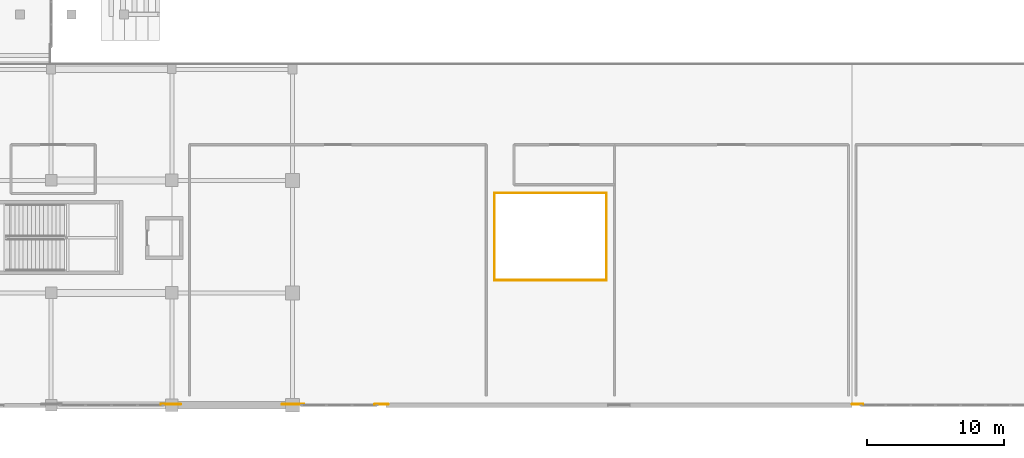
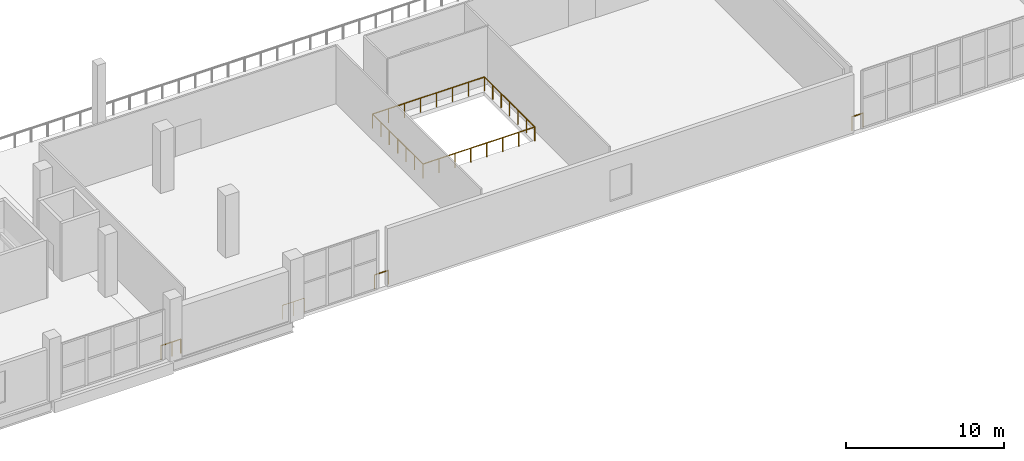
# One storey, part 117 of 142: 9 railings.
"""IFC4 building model written with IfcOpenShell, lengths in metres."""

from ifc_helpers import new_model, si_unit, direction, frame, origin, origin_2d, place, context, subcontext, project, spatial, circle, extrude, material, type_object, element, save


model = new_model("IFC4")

# Units and contexts
model_context = context("Model", 3, precision=1e-05, world=origin(), true_north=direction((0.0, 1.0)))
body_context = subcontext(model_context, "Body", "Model", "MODEL_VIEW")
ifc_project = project(units=[si_unit("LENGTHUNIT", "METRE"), si_unit("AREAUNIT", "SQUARE_METRE"), si_unit("VOLUMEUNIT", "CUBIC_METRE"), si_unit("PLANEANGLEUNIT", "RADIAN"), si_unit("MASSUNIT", "GRAM", prefix="KILO")], contexts=[model_context])

# Site, building, storey
site_placement = place(None, origin())
site = spatial("IfcSite", under=ifc_project, at=site_placement, CompositionType="ELEMENT")
building_placement = place(site_placement, origin())
building = spatial("IfcBuilding", under=site, at=building_placement, Name="Koshinbarg Plaza Stadium", CompositionType="ELEMENT")
storey_placement = place(building_placement, frame((0.0, 0.0, 10.199951171875)))
storey = spatial("IfcBuildingStorey", under=building, at=storey_placement, Name="L02", CompositionType="ELEMENT", Elevation=10.199951171875)

# Railings
ifc_material = material(Name="Toughened laminated glass and stainless steel sightline balustrade", Category="steel")
railing_type = type_object("IfcRailingType", Name="RL-BOWL-1100", PredefinedType="BALUSTRADE", material=ifc_material)
railing_1_placement = place(storey_placement, frame((95.919921875, 9.1201171875, 0.0)))
element("IfcRailing", 1, at=railing_1_placement, inside=storey, type_object=railing_type, Name="L02 atrium light-well balustrade 0059", PredefinedType="BALUSTRADE", context=body_context, shape_type="SweptSolid", body=[
    extrude(circle(Radius=0.02392578125, at=origin_2d()), frame((0.0, 0.0, 1.076171875), z_axis=(1.0, 0.0, 0.0), x_axis=(0.0, 1.0, 0.0)), (0.0, 0.0, 1.0), 8.16015625),
    extrude(circle(Radius=0.02099609375, at=origin_2d()), origin(), (0.0, 0.0, 1.0), 1.052001953125),
    extrude(circle(Radius=0.02099609375, at=origin_2d()), frame((1.165771484375, 0.0, 0.0)), (0.0, 0.0, 1.0), 1.052001953125),
    extrude(circle(Radius=0.02099609375, at=origin_2d()), frame((2.33154296875, 0.0, 0.0)), (0.0, 0.0, 1.0), 1.052001953125),
    extrude(circle(Radius=0.02099609375, at=origin_2d()), frame((3.497314453125, 0.0, 0.0)), (0.0, 0.0, 1.0), 1.052001953125),
    extrude(circle(Radius=0.02099609375, at=origin_2d()), frame((4.662841796875, 0.0, 0.0)), (0.0, 0.0, 1.0), 1.052001953125),
    extrude(circle(Radius=0.02099609375, at=origin_2d()), frame((5.82861328125, 0.0, 0.0)), (0.0, 0.0, 1.0), 1.052001953125),
    extrude(circle(Radius=0.02099609375, at=origin_2d()), frame((6.994384765625, 0.0, 0.0)), (0.0, 0.0, 1.0), 1.052001953125),
    extrude(circle(Radius=0.02099609375, at=origin_2d()), frame((8.16015625, 0.0, 0.0)), (0.0, 0.0, 1.0), 1.052001953125),
])
railing_2_placement = place(storey_placement, frame((104.080078125, 9.1201171875, 0.0)))
element("IfcRailing", 2, at=railing_2_placement, inside=storey, type_object=railing_type, Name="L02 atrium light-well balustrade 0060", PredefinedType="BALUSTRADE", context=body_context, shape_type="SweptSolid", body=[
    extrude(circle(Radius=0.02392578125, at=origin_2d()), frame((0.0, 0.0, 1.076171875), z_axis=(0.0, 1.0, 0.0), x_axis=(-1.0, 0.0, 0.0)), (0.0, 0.0, 1.0), 6.35986328125),
    extrude(circle(Radius=0.02099609375, at=origin_2d()), origin(), (0.0, 0.0, 1.0), 1.052001953125),
    extrude(circle(Radius=0.02099609375, at=origin_2d()), frame((0.0, 1.06005859375, 0.0)), (0.0, 0.0, 1.0), 1.052001953125),
    extrude(circle(Radius=0.02099609375, at=origin_2d()), frame((0.0, 2.119873046875, 0.0)), (0.0, 0.0, 1.0), 1.052001953125),
    extrude(circle(Radius=0.02099609375, at=origin_2d()), frame((0.0, 3.179931640625, 0.0)), (0.0, 0.0, 1.0), 1.052001953125),
    extrude(circle(Radius=0.02099609375, at=origin_2d()), frame((0.0, 4.239990234375, 0.0)), (0.0, 0.0, 1.0), 1.052001953125),
    extrude(circle(Radius=0.02099609375, at=origin_2d()), frame((0.0, 5.2998046875, 0.0)), (0.0, 0.0, 1.0), 1.052001953125),
    extrude(circle(Radius=0.02099609375, at=origin_2d()), frame((0.0, 6.35986328125, 0.0)), (0.0, 0.0, 1.0), 1.052001953125),
])
railing_3_placement = place(storey_placement, frame((104.080078125, 15.47998046875, 0.0)))
element("IfcRailing", 3, at=railing_3_placement, inside=storey, type_object=railing_type, Name="L02 atrium light-well balustrade 0061", PredefinedType="BALUSTRADE", context=body_context, shape_type="SweptSolid", body=[
    extrude(circle(Radius=0.02392578125, at=origin_2d()), frame((0.0, 0.0, 1.076171875), z_axis=(-1.0, 0.0, 0.0), x_axis=(0.0, -1.0, 0.0)), (0.0, 0.0, 1.0), 8.16015625),
    extrude(circle(Radius=0.02099609375, at=origin_2d()), origin(), (0.0, 0.0, 1.0), 1.052001953125),
    extrude(circle(Radius=0.02099609375, at=origin_2d()), frame((-1.165771484375, 0.0, 0.0)), (0.0, 0.0, 1.0), 1.052001953125),
    extrude(circle(Radius=0.02099609375, at=origin_2d()), frame((-2.33154296875, 0.0, 0.0)), (0.0, 0.0, 1.0), 1.052001953125),
    extrude(circle(Radius=0.02099609375, at=origin_2d()), frame((-3.497314453125, 0.0, 0.0)), (0.0, 0.0, 1.0), 1.052001953125),
    extrude(circle(Radius=0.02099609375, at=origin_2d()), frame((-4.662841796875, 0.0, 0.0)), (0.0, 0.0, 1.0), 1.052001953125),
    extrude(circle(Radius=0.02099609375, at=origin_2d()), frame((-5.82861328125, 0.0, 0.0)), (0.0, 0.0, 1.0), 1.052001953125),
    extrude(circle(Radius=0.02099609375, at=origin_2d()), frame((-6.994384765625, 0.0, 0.0)), (0.0, 0.0, 1.0), 1.052001953125),
    extrude(circle(Radius=0.02099609375, at=origin_2d()), frame((-8.16015625, 0.0, 0.0)), (0.0, 0.0, 1.0), 1.052001953125),
])
railing_4_placement = place(storey_placement, frame((95.919921875, 15.47998046875, 0.0)))
element("IfcRailing", 4, at=railing_4_placement, inside=storey, type_object=railing_type, Name="L02 atrium light-well balustrade 0062", PredefinedType="BALUSTRADE", context=body_context, shape_type="SweptSolid", body=[
    extrude(circle(Radius=0.02392578125, at=origin_2d()), frame((0.0, 0.0, 1.076171875), z_axis=(0.0, -1.0, 0.0), x_axis=(1.0, 0.0, 0.0)), (0.0, 0.0, 1.0), 6.35986328125),
    extrude(circle(Radius=0.02099609375, at=origin_2d()), origin(), (0.0, 0.0, 1.0), 1.052001953125),
    extrude(circle(Radius=0.02099609375, at=origin_2d()), frame((0.0, -1.06005859375, 0.0)), (0.0, 0.0, 1.0), 1.052001953125),
    extrude(circle(Radius=0.02099609375, at=origin_2d()), frame((0.0, -2.119873046875, 0.0)), (0.0, 0.0, 1.0), 1.052001953125),
    extrude(circle(Radius=0.02099609375, at=origin_2d()), frame((0.0, -3.179931640625, 0.0)), (0.0, 0.0, 1.0), 1.052001953125),
    extrude(circle(Radius=0.02099609375, at=origin_2d()), frame((0.0, -4.239990234375, 0.0)), (0.0, 0.0, 1.0), 1.052001953125),
    extrude(circle(Radius=0.02099609375, at=origin_2d()), frame((0.0, -5.2998046875, 0.0)), (0.0, 0.0, 1.0), 1.052001953125),
    extrude(circle(Radius=0.02099609375, at=origin_2d()), frame((0.0, -6.35986328125, 0.0)), (0.0, 0.0, 1.0), 1.052001953125),
])
railing_5_placement = place(storey_placement, frame((72.39990234375, 0.080078125, 0.0)))
element("IfcRailing", 5, at=railing_5_placement, inside=storey, type_object=railing_type, Name="L02 deck edge safety balustrade 0179", PredefinedType="BALUSTRADE", context=body_context, shape_type="SweptSolid", body=[
    extrude(circle(Radius=0.02392578125, at=origin_2d()), frame((0.0, 0.0, 1.076171875), z_axis=(-1.0, 0.0, 0.0), x_axis=(0.0, -1.0, 0.0)), (0.0, 0.0, 1.0), 0.79931640625),
    extrude(circle(Radius=0.02099609375, at=origin_2d()), origin(), (0.0, 0.0, 1.0), 1.052001953125),
    extrude(circle(Radius=0.02099609375, at=origin_2d()), frame((-0.79931640625, 0.0, 0.0)), (0.0, 0.0, 1.0), 1.052001953125),
])
railing_6_placement = place(storey_placement, frame((88.184326171875, 0.080078125, 0.0)))
element("IfcRailing", 6, at=railing_6_placement, inside=storey, type_object=railing_type, Name="L02 deck edge safety balustrade 0185", PredefinedType="BALUSTRADE", context=body_context, shape_type="SweptSolid", body=[
    extrude(circle(Radius=0.02392578125, at=origin_2d()), frame((0.0, 0.0, 1.076171875), z_axis=(-1.0, 0.0, 0.0), x_axis=(0.0, -1.0, 0.0)), (0.0, 0.0, 1.0), 0.99951171875),
    extrude(circle(Radius=0.02099609375, at=origin_2d()), origin(), (0.0, 0.0, 1.0), 1.052001953125),
    extrude(circle(Radius=0.02099609375, at=origin_2d()), frame((-0.99951171875, 0.0, 0.0)), (0.0, 0.0, 1.0), 1.052001953125),
])
railing_7_placement = place(storey_placement, frame((82.04052734375, 0.080078125, 0.0)))
element("IfcRailing", 7, at=railing_7_placement, inside=storey, type_object=railing_type, Name="L02 deck edge safety balustrade 0186", PredefinedType="BALUSTRADE", context=body_context, shape_type="SweptSolid", body=[
    extrude(circle(Radius=0.02392578125, at=origin_2d()), frame((0.0, 0.0, 1.076171875), z_axis=(-1.0, 0.0, 0.0), x_axis=(0.0, -1.0, 0.0)), (0.0, 0.0, 1.0), 1.598876953125),
    extrude(circle(Radius=0.02099609375, at=origin_2d()), origin(), (0.0, 0.0, 1.0), 1.052001953125),
    extrude(circle(Radius=0.02099609375, at=origin_2d()), frame((-0.79931640625, 0.0, 0.0)), (0.0, 0.0, 1.0), 1.052001953125),
    extrude(circle(Radius=0.02099609375, at=origin_2d()), frame((-1.598876953125, 0.0, 0.0)), (0.0, 0.0, 1.0), 1.052001953125),
])
railing_8_placement = place(storey_placement, frame((73.049560546875, 0.080078125, 0.0)))
element("IfcRailing", 8, at=railing_8_placement, inside=storey, type_object=railing_type, Name="L02 deck edge safety balustrade 0187", PredefinedType="BALUSTRADE", context=body_context, shape_type="SweptSolid", body=[
    extrude(circle(Radius=0.02392578125, at=origin_2d()), frame((0.0, 0.0, 1.076171875), z_axis=(-1.0, 0.0, 0.0), x_axis=(0.0, -1.0, 0.0)), (0.0, 0.0, 1.0), 0.649658203125),
    extrude(circle(Radius=0.02099609375, at=origin_2d()), origin(), (0.0, 0.0, 1.0), 1.052001953125),
    extrude(circle(Radius=0.02099609375, at=origin_2d()), frame((-0.649658203125, 0.0, 0.0)), (0.0, 0.0, 1.0), 1.052001953125),
])
railing_9_placement = place(storey_placement, frame((122.79931640625, 0.080078125, 0.0)))
element("IfcRailing", 9, at=railing_9_placement, inside=storey, type_object=railing_type, Name="L02 deck edge safety balustrade 0191", PredefinedType="BALUSTRADE", context=body_context, shape_type="SweptSolid", body=[
    extrude(circle(Radius=0.02392578125, at=origin_2d()), frame((0.0, 0.0, 1.076171875), z_axis=(-1.0, 0.0, 0.0), x_axis=(0.0, -1.0, 0.0)), (0.0, 0.0, 1.0), 0.79931640625),
    extrude(circle(Radius=0.02099609375, at=origin_2d()), origin(), (0.0, 0.0, 1.0), 1.052001953125),
    extrude(circle(Radius=0.02099609375, at=origin_2d()), frame((-0.79931640625, 0.0, 0.0)), (0.0, 0.0, 1.0), 1.052001953125),
])

save(model, "model.ifc")
